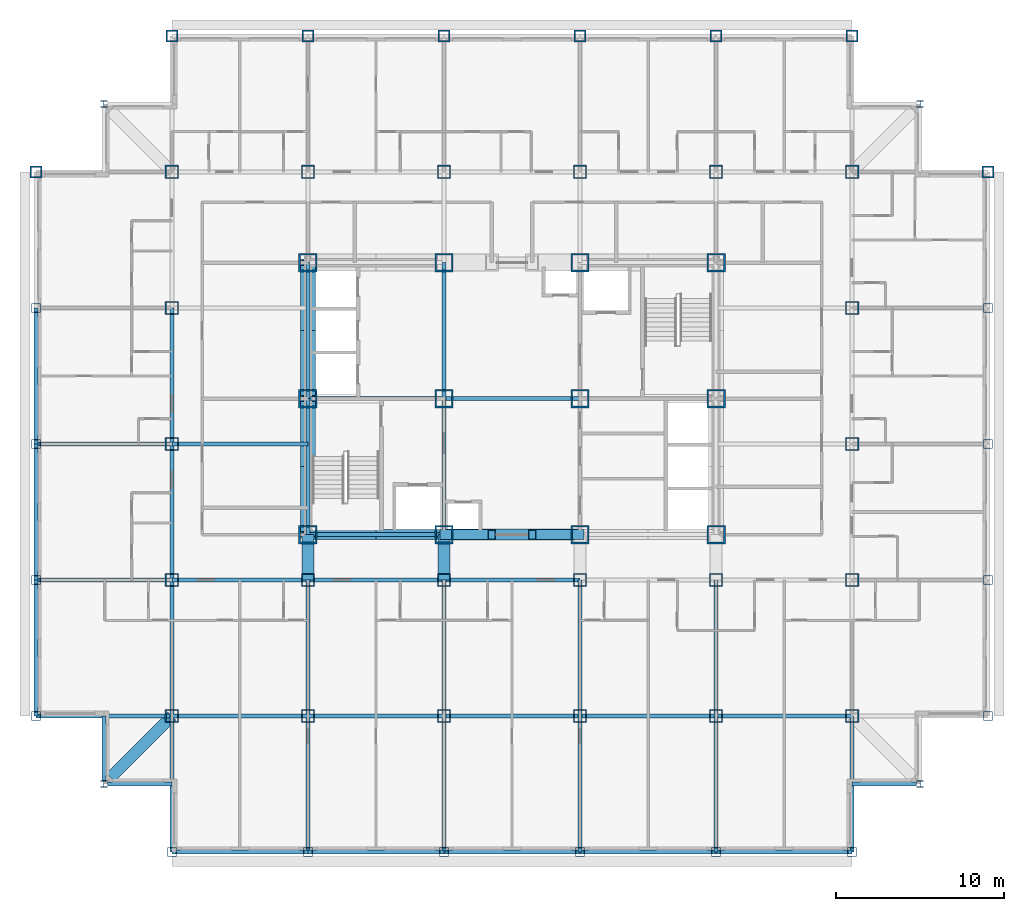
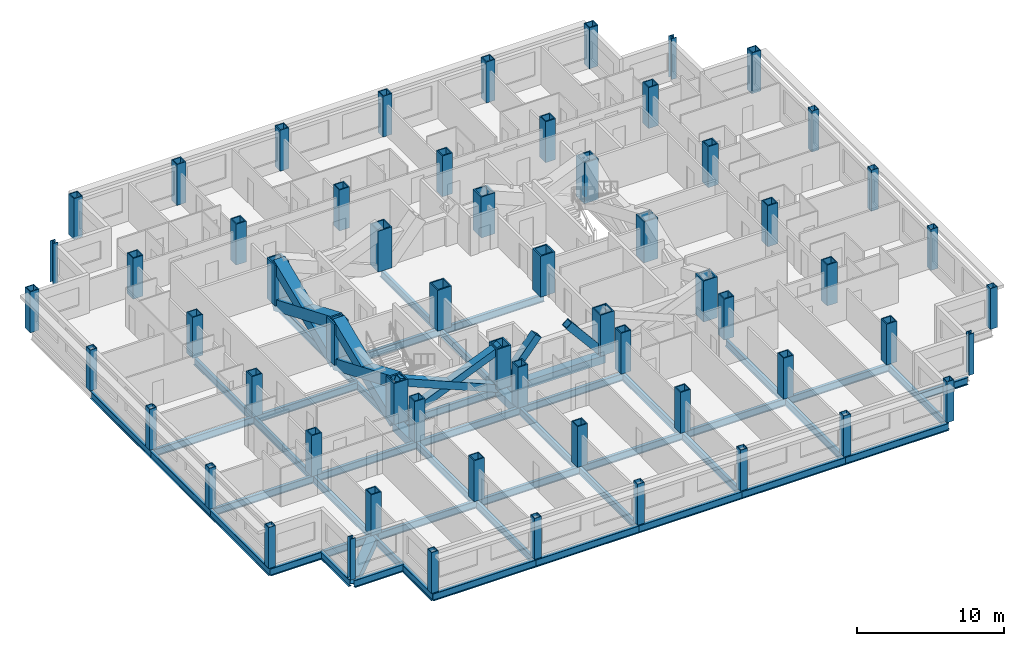
# One storey, part 1 of 13: 60 columns, 47 beams, 8 members.
"""IFC4 building model written with IfcOpenShell, lengths in metres."""

from ifc_helpers import new_model, si_unit, direction, frame, origin, origin_2d, place, context, subcontext, project, spatial, hollow_rectangle, i_section, extrude, material, material_profile, profile_set, type_object, element, save


model = new_model("IFC4")

# Units and contexts
model_context = context("Model", 3, precision=1e-05, world=origin(), true_north=direction((0.0, 1.0)))
body_context = subcontext(model_context, "Body", "Model", "MODEL_VIEW")
ifc_project = project(units=[si_unit("LENGTHUNIT", "METRE"), si_unit("AREAUNIT", "SQUARE_METRE"), si_unit("VOLUMEUNIT", "CUBIC_METRE"), si_unit("PLANEANGLEUNIT", "RADIAN"), si_unit("MASSUNIT", "GRAM", prefix="KILO")], contexts=[model_context])

# Site, building, storey
site_placement = place(None, origin())
site = spatial("IfcSite", under=ifc_project, at=site_placement, CompositionType="ELEMENT")
building_placement = place(site_placement, origin())
building = spatial("IfcBuilding", under=site, at=building_placement, Name="Kopane Lantern Tower", CompositionType="ELEMENT")
storey_placement = place(building_placement, frame((0.0, 0.0, 130.60009765625)))
storey = spatial("IfcBuildingStorey", under=building, at=storey_placement, Name="L33", CompositionType="ELEMENT", Elevation=130.60009765625)

# Columns
ifc_material_1 = material(Name="Steel S355JR", Category="steel")
ifc_material_profile_1 = material_profile(ifc_material_1, hollow_rectangle(XDim=1.10009765625, YDim=1.10009765625, WallThickness=0.10009765625, at=origin_2d()), Name="BOX 1100x1100x100")
ifc_profile_set_1 = profile_set([ifc_material_profile_1], Name="Steel S355JR")
column_type_1 = type_object("IfcColumnType", Name="COLUMN BOX 1100x1100x100", PredefinedType="COLUMN", material=ifc_profile_set_1)
for number, where, z_axis, x_axis, name in (
    (1, (16.199951171875, 24.300048828125, 0.0), (0.0, 0.0, 1.0), (1.0, 0.0, 0.0), "Column 4/E L33"),
    (2, (16.199951171875, 32.39990234375, 0.0), (0.0, 0.0, 1.0), (1.0, 0.0, 0.0), "Column 4/F L33"),
    (3, (16.199951171875, 40.5, 0.0), (0.0, 0.0, 1.0), (1.0, 0.0, 0.0), "Column 4/G L33"),
    (4, (24.300048828125, 24.300048828125, 0.0), (0.0, 0.0, 1.0), (1.0, 0.0, 0.0), "Column 5/E L33"),
    (5, (24.300048828125, 32.39990234375, 0.0), (0.0, 0.0, 1.0), (1.0, 0.0, 0.0), "Column 5/F L33"),
    (6, (24.300048828125, 40.5, 0.0), (0.0, 0.0, 1.0), (1.0, 0.0, 0.0), "Column 5/G L33"),
    (7, (32.39990234375, 24.300048828125, 0.0), (0.0, 0.0, 1.0), (1.0, 0.0, 0.0), "Column 6/E L33"),
    (8, (32.39990234375, 32.39990234375, 0.0), (0.0, 0.0, 1.0), (1.0, 0.0, 0.0), "Column 6/F L33"),
    (9, (32.39990234375, 40.5, 0.0), (0.0, 0.0, 1.0), (1.0, 0.0, 0.0), "Column 6/G L33"),
    (10, (40.5, 24.300048828125, 0.0), (0.0, 0.0, 1.0), (1.0, 0.0, 0.0), "Column 7/E L33"),
    (11, (40.5, 32.39990234375, 0.0), (0.0, 0.0, 1.0), (1.0, 0.0, 0.0), "Column 7/F L33"),
    (12, (40.5, 40.5, 0.0), (0.0, 0.0, 1.0), (1.0, 0.0, 0.0), "Column 7/G L33"),
):
    element("IfcColumn", number, at=place(storey_placement, frame(where, z_axis=z_axis, x_axis=x_axis)), inside=storey, type_object=column_type_1, Name=name, PredefinedType="COLUMN", context=body_context, shape_type="SweptSolid", body=[
        extrude(hollow_rectangle(XDim=1.10009765625, YDim=1.10009765625, WallThickness=0.10009765625, at=origin_2d()), origin(), (0.0, 0.0, 1.0), 3.39990234375),
    ])
ifc_material_2 = material(Name="Steel S355JR", Category="steel")
ifc_material_profile_2 = material_profile(ifc_material_2, hollow_rectangle(XDim=0.550048828125, YDim=0.550048828125, WallThickness=0.0400390625, at=origin_2d()), Name="BOX 550x550x40")
ifc_profile_set_2 = profile_set([ifc_material_profile_2], Name="Steel S355JR")
column_type_2 = type_object("IfcColumnType", Name="COLUMN BOX 550x550x40", PredefinedType="COLUMN", material=ifc_profile_set_2)
for number, where, z_axis, x_axis, name in (
    (13, (0.0, 13.5, 0.0), (0.0, 0.0, 1.0), (1.0, 0.0, 0.0), "Column 2/P2 L33"),
    (14, (0.0, 21.60009765625, 0.0), (0.0, 0.0, 1.0), (1.0, 0.0, 0.0), "Column 2/P3 L33"),
    (15, (0.0, 29.699951171875, 0.0), (0.0, 0.0, 1.0), (1.0, 0.0, 0.0), "Column 2/P4 L33"),
    (16, (0.0, 37.800048828125, 0.0), (0.0, 0.0, 1.0), (1.0, 0.0, 0.0), "Column 2/P5 L33"),
    (17, (8.10009765625, 5.39990234375, 0.0), (0.0, 0.0, 1.0), (1.0, 0.0, 0.0), "Column 3/P1 L33"),
    (18, (16.199951171875, 5.39990234375, 0.0), (0.0, 0.0, 1.0), (1.0, 0.0, 0.0), "Column 4/P1 L33"),
    (19, (24.300048828125, 5.39990234375, 0.0), (0.0, 0.0, 1.0), (1.0, 0.0, 0.0), "Column 5/P1 L33"),
    (20, (32.39990234375, 5.39990234375, 0.0), (0.0, 0.0, 1.0), (1.0, 0.0, 0.0), "Column 6/P1 L33"),
    (21, (40.5, 5.39990234375, 0.0), (0.0, 0.0, 1.0), (1.0, 0.0, 0.0), "Column 7/P1 L33"),
    (22, (48.60009765625, 5.39990234375, 0.0), (0.0, 0.0, 1.0), (1.0, 0.0, 0.0), "Column 8/P1 L33"),
    (23, (56.699951171875, 13.5, 0.0), (0.0, 0.0, 1.0), (1.0, 0.0, 0.0), "Column 9/P2 L33"),
    (24, (56.699951171875, 21.60009765625, 0.0), (0.0, 0.0, 1.0), (1.0, 0.0, 0.0), "Column 9/P3 L33"),
    (25, (56.699951171875, 29.699951171875, 0.0), (0.0, 0.0, 1.0), (1.0, 0.0, 0.0), "Column 9/P4 L33"),
    (26, (56.699951171875, 37.800048828125, 0.0), (0.0, 0.0, 1.0), (1.0, 0.0, 0.0), "Column 9/P5 L33"),
):
    element("IfcColumn", number, at=place(storey_placement, frame(where, z_axis=z_axis, x_axis=x_axis)), inside=storey, type_object=column_type_2, Name=name, PredefinedType="COLUMN", context=body_context, shape_type="SweptSolid", body=[
        extrude(hollow_rectangle(XDim=0.550048828125, YDim=0.550048828125, WallThickness=0.0400390625, at=origin_2d()), origin(), (0.0, 0.0, 1.0), 3.39990234375),
    ])
ifc_material_3 = material(Name="Steel S355JR", Category="steel")
ifc_material_profile_3 = material_profile(ifc_material_3, hollow_rectangle(XDim=0.699951171875, YDim=0.699951171875, WallThickness=0.070068359375, at=origin_2d()), Name="BOX 700x700x70")
ifc_profile_set_3 = profile_set([ifc_material_profile_3], Name="Steel S355JR")
column_type_3 = type_object("IfcColumnType", Name="COLUMN BOX 700x700x70", PredefinedType="COLUMN", material=ifc_profile_set_3)
for number, where, z_axis, x_axis, name in (
    (27, (0.0, 45.89990234375, 0.0), (0.0, 0.0, 1.0), (1.0, 0.0, 0.0), "Column 2/P6 L33"),
    (28, (8.10009765625, 54.0, 0.0), (0.0, 0.0, 1.0), (1.0, 0.0, 0.0), "Column 3/P7 L33"),
    (29, (16.199951171875, 54.0, 0.0), (0.0, 0.0, 1.0), (1.0, 0.0, 0.0), "Column 4/P7 L33"),
    (30, (24.300048828125, 54.0, 0.0), (0.0, 0.0, 1.0), (1.0, 0.0, 0.0), "Column 5/P7 L33"),
    (31, (32.39990234375, 54.0, 0.0), (0.0, 0.0, 1.0), (1.0, 0.0, 0.0), "Column 6/P7 L33"),
    (32, (40.5, 54.0, 0.0), (0.0, 0.0, 1.0), (1.0, 0.0, 0.0), "Column 7/P7 L33"),
    (33, (48.60009765625, 54.0, 0.0), (0.0, 0.0, 1.0), (1.0, 0.0, 0.0), "Column 8/P7 L33"),
    (34, (56.699951171875, 45.89990234375, 0.0), (0.0, 0.0, 1.0), (1.0, 0.0, 0.0), "Column 9/P6 L33"),
):
    element("IfcColumn", number, at=place(storey_placement, frame(where, z_axis=z_axis, x_axis=x_axis)), inside=storey, type_object=column_type_3, Name=name, PredefinedType="COLUMN", context=body_context, shape_type="SweptSolid", body=[
        extrude(hollow_rectangle(XDim=0.699951171875, YDim=0.699951171875, WallThickness=0.070068359375, at=origin_2d()), origin(), (0.0, 0.0, 1.0), 3.39990234375),
    ])
ifc_material_4 = material(Name="Steel S355JR", Category="steel")
ifc_material_profile_4 = material_profile(ifc_material_4, hollow_rectangle(XDim=0.800048828125, YDim=0.800048828125, WallThickness=0.080078125, at=origin_2d()), Name="BOX 800x800x80")
ifc_profile_set_4 = profile_set([ifc_material_profile_4], Name="Steel S355JR")
column_type_4 = type_object("IfcColumnType", Name="COLUMN BOX 800x800x80", PredefinedType="COLUMN", material=ifc_profile_set_4)
for number, where, z_axis, x_axis, name in (
    (35, (8.10009765625, 13.5, 0.0), (0.0, 0.0, 1.0), (1.0, 0.0, 0.0), "Column 3/P2 L33"),
    (36, (8.10009765625, 21.60009765625, 0.0), (0.0, 0.0, 1.0), (1.0, 0.0, 0.0), "Column 3/P3 L33"),
    (37, (8.10009765625, 29.699951171875, 0.0), (0.0, 0.0, 1.0), (1.0, 0.0, 0.0), "Column 3/P4 L33"),
    (38, (8.10009765625, 37.800048828125, 0.0), (0.0, 0.0, 1.0), (1.0, 0.0, 0.0), "Column 3/P5 L33"),
    (39, (8.10009765625, 45.89990234375, 0.0), (0.0, 0.0, 1.0), (1.0, 0.0, 0.0), "Column 3/P6 L33"),
    (40, (16.199951171875, 13.5, 0.0), (0.0, 0.0, 1.0), (1.0, 0.0, 0.0), "Column 4/P2 L33"),
    (41, (16.199951171875, 21.60009765625, 0.0), (0.0, 0.0, 1.0), (1.0, 0.0, 0.0), "Column 4/P3 L33"),
    (42, (16.199951171875, 45.89990234375, 0.0), (0.0, 0.0, 1.0), (1.0, 0.0, 0.0), "Column 4/P6 L33"),
    (43, (24.300048828125, 13.5, 0.0), (0.0, 0.0, 1.0), (1.0, 0.0, 0.0), "Column 5/P2 L33"),
    (44, (24.300048828125, 21.60009765625, 0.0), (0.0, 0.0, 1.0), (1.0, 0.0, 0.0), "Column 5/P3 L33"),
    (45, (24.300048828125, 45.89990234375, 0.0), (0.0, 0.0, 1.0), (1.0, 0.0, 0.0), "Column 5/P6 L33"),
    (46, (32.39990234375, 13.5, 0.0), (0.0, 0.0, 1.0), (1.0, 0.0, 0.0), "Column 6/P2 L33"),
    (47, (32.39990234375, 21.60009765625, 0.0), (0.0, 0.0, 1.0), (1.0, 0.0, 0.0), "Column 6/P3 L33"),
    (48, (32.39990234375, 45.89990234375, 0.0), (0.0, 0.0, 1.0), (1.0, 0.0, 0.0), "Column 6/P6 L33"),
    (49, (40.5, 13.5, 0.0), (0.0, 0.0, 1.0), (1.0, 0.0, 0.0), "Column 7/P2 L33"),
    (50, (40.5, 21.60009765625, 0.0), (0.0, 0.0, 1.0), (1.0, 0.0, 0.0), "Column 7/P3 L33"),
    (51, (40.5, 45.89990234375, 0.0), (0.0, 0.0, 1.0), (1.0, 0.0, 0.0), "Column 7/P6 L33"),
    (52, (48.60009765625, 13.5, 0.0), (0.0, 0.0, 1.0), (1.0, 0.0, 0.0), "Column 8/P2 L33"),
    (53, (48.60009765625, 21.60009765625, 0.0), (0.0, 0.0, 1.0), (1.0, 0.0, 0.0), "Column 8/P3 L33"),
    (54, (48.60009765625, 29.699951171875, 0.0), (0.0, 0.0, 1.0), (1.0, 0.0, 0.0), "Column 8/P4 L33"),
    (55, (48.60009765625, 37.800048828125, 0.0), (0.0, 0.0, 1.0), (1.0, 0.0, 0.0), "Column 8/P5 L33"),
    (56, (48.60009765625, 45.89990234375, 0.0), (0.0, 0.0, 1.0), (1.0, 0.0, 0.0), "Column 8/P6 L33"),
):
    element("IfcColumn", number, at=place(storey_placement, frame(where, z_axis=z_axis, x_axis=x_axis)), inside=storey, type_object=column_type_4, Name=name, PredefinedType="COLUMN", context=body_context, shape_type="SweptSolid", body=[
        extrude(hollow_rectangle(XDim=0.800048828125, YDim=0.800048828125, WallThickness=0.080078125, at=origin_2d()), origin(), (0.0, 0.0, 1.0), 3.39990234375),
    ])
ifc_material_5 = material(Name="Steel S355JR", Category="steel")
ifc_material_profile_5 = material_profile(ifc_material_5, i_section(OverallWidth=0.406982421875, OverallDepth=0.4189453125, WebThickness=0.030517578125, FlangeThickness=0.04931640625, FilletRadius=0.01513671875, at=origin_2d()), Name="UC 356x406x393")
ifc_profile_set_5 = profile_set([ifc_material_profile_5], Name="Steel S355JR")
column_type_5 = type_object("IfcColumnType", Name="COLUMN UC 356x406x393", PredefinedType="COLUMN", material=ifc_profile_set_5)
for number, where, z_axis, x_axis, name in (
    (57, (4.050048828125, 9.449951171875, 0.0), (0.0, 0.0, 1.0), (1.0, 0.0, 0.0), "Column 4.05/9.45 L33"),
    (58, (4.050048828125, 49.949951171875, 0.0), (0.0, 0.0, 1.0), (1.0, 0.0, 0.0), "Column 4.05/49.95 L33"),
    (59, (52.64990234375, 9.449951171875, 0.0), (0.0, 0.0, 1.0), (1.0, 0.0, 0.0), "Column 52.65/9.45 L33"),
    (60, (52.64990234375, 49.949951171875, 0.0), (0.0, 0.0, 1.0), (1.0, 0.0, 0.0), "Column 52.65/49.95 L33"),
):
    element("IfcColumn", number, at=place(storey_placement, frame(where, z_axis=z_axis, x_axis=x_axis)), inside=storey, type_object=column_type_5, Name=name, PredefinedType="COLUMN", context=body_context, shape_type="SweptSolid", body=[
        extrude(i_section(OverallWidth=0.406982421875, OverallDepth=0.4189453125, WebThickness=0.030517578125, FlangeThickness=0.04931640625, FilletRadius=0.01513671875, at=origin_2d()), origin(), (0.0, 0.0, 1.0), 3.39990234375),
    ])

# Members
ifc_material_6 = material(Name="Steel S355JR", Category="steel")
ifc_material_profile_6 = material_profile(ifc_material_6, hollow_rectangle(XDim=0.60009765625, YDim=0.60009765625, WallThickness=0.050048828125, at=origin_2d()), Name="BOX 600x600x50")
ifc_profile_set_6 = profile_set([ifc_material_profile_6], Name="Steel S355JR")
member_type_1 = type_object("IfcMemberType", Name="BRACE BOX 600x600x50", PredefinedType="BRACE", material=ifc_profile_set_6)
for number, where, z_axis, x_axis, name in (
    (61, (16.199951171875, 24.300048828125, -0.210205078125), (0.92205908274, 0.0, 0.387049154419), (0.0, 1.0, 0.0), "Core brace L33"),
    (62, (24.300048828125, 24.300048828125, -0.210205078125), (-0.92205908274, 0.0, 0.387049154419), (0.0, -1.0, 0.0), "Core brace L33"),
):
    element("IfcMember", number, at=place(storey_placement, frame(where, z_axis=z_axis, x_axis=x_axis)), inside=storey, type_object=member_type_1, Name=name, PredefinedType="BRACE", context=body_context, shape_type="SweptSolid", body=[
        extrude(hollow_rectangle(XDim=0.60009765625, YDim=0.60009765625, WallThickness=0.050048828125, at=origin_2d()), origin(), (0.0, 0.0, 1.0), 8.784912109375),
    ])
for number, where, z_axis, x_axis, name in (
    (63, (24.300048828125, 24.300048828125, -0.210205078125), (0.642363165114, 0.0, 0.766400394118), (0.0, 1.0, 0.0), "Core brace L33"),
    (64, (32.39990234375, 24.300048828125, -0.210205078125), (-0.642363165114, 0.0, 0.766400394118), (0.0, -1.0, 0.0), "Core brace L33"),
):
    element("IfcMember", number, at=place(storey_placement, frame(where, z_axis=z_axis, x_axis=x_axis)), inside=storey, type_object=member_type_1, Name=name, PredefinedType="BRACE", context=body_context, shape_type="SweptSolid", body=[
        extrude(hollow_rectangle(XDim=0.60009765625, YDim=0.60009765625, WallThickness=0.050048828125, at=origin_2d()), origin(), (0.0, 0.0, 1.0), 4.4365234375),
    ])
ifc_material_7 = material(Name="Steel S355JR", Category="steel")
ifc_material_profile_7 = material_profile(ifc_material_7, hollow_rectangle(XDim=0.89990234375, YDim=0.89990234375, WallThickness=0.090087890625, at=origin_2d()), Name="BOX 900x900x90")
ifc_profile_set_7 = profile_set([ifc_material_profile_7], Name="Steel S355JR")
member_type_2 = type_object("IfcMemberType", Name="BRACE BOX 900x900x90", PredefinedType="BRACE", material=ifc_profile_set_7)
for number, where, z_axis, x_axis, name in (
    (65, (16.199951171875, 24.300048828125, -0.210205078125), (0.0, 0.92205491925, 0.387059072864), (-1.0, 0.0, 0.0), "Core brace L33"),
    (66, (16.199951171875, 32.39990234375, -0.210205078125), (0.0, -0.92205491925, 0.387059072864), (1.0, 0.0, 0.0), "Core brace L33"),
):
    element("IfcMember", number, at=place(storey_placement, frame(where, z_axis=z_axis, x_axis=x_axis)), inside=storey, type_object=member_type_2, Name=name, PredefinedType="BRACE", context=body_context, shape_type="SweptSolid", body=[
        extrude(hollow_rectangle(XDim=0.89990234375, YDim=0.89990234375, WallThickness=0.090087890625, at=origin_2d()), origin(), (0.0, 0.0, 1.0), 8.78466796875),
    ])
for number, where, z_axis, x_axis, name in (
    (67, (16.199951171875, 32.39990234375, -0.210205078125), (0.0, 0.92205908274, 0.387049154419), (-1.0, 0.0, 0.0), "Core brace L33"),
    (68, (16.199951171875, 40.5, -0.210205078125), (0.0, -0.92205908274, 0.387049154419), (1.0, 0.0, 0.0), "Core brace L33"),
):
    element("IfcMember", number, at=place(storey_placement, frame(where, z_axis=z_axis, x_axis=x_axis)), inside=storey, type_object=member_type_2, Name=name, PredefinedType="BRACE", context=body_context, shape_type="SweptSolid", body=[
        extrude(hollow_rectangle(XDim=0.89990234375, YDim=0.89990234375, WallThickness=0.090087890625, at=origin_2d()), origin(), (0.0, 0.0, 1.0), 8.784912109375),
    ])

# Beams
ifc_material_8 = material(Name="Steel S355JR", Category="steel")
ifc_material_profile_8 = material_profile(ifc_material_8, i_section(OverallWidth=0.22900390625, OverallDepth=0.6123046875, WebThickness=0.011962890625, FlangeThickness=0.01953125, FilletRadius=0.0126953125, at=origin_2d()), Name="UB 610x229x125")
ifc_profile_set_8 = profile_set([ifc_material_profile_8], Name="Steel S355JR")
beam_type_1 = type_object("IfcBeamType", Name="CORE BEAM UB 610x229x125", PredefinedType="BEAM", material=ifc_profile_set_8)
beam_1_placement = place(storey_placement, frame((16.199951171875, 32.39990234375, -0.51611328125), z_axis=(1.0, 0.0, 0.0), x_axis=(0.0, 1.0, 0.0)))
element("IfcBeam", 69, at=beam_1_placement, inside=storey, type_object=beam_type_1, Name="Core Beam L33", PredefinedType="BEAM", context=body_context, shape_type="SweptSolid", body=[
    extrude(i_section(OverallWidth=0.22900390625, OverallDepth=0.6123046875, WebThickness=0.011962890625, FlangeThickness=0.01953125, FilletRadius=0.0126953125, at=origin_2d()), origin(), (0.0, 0.0, 1.0), 8.10009765625),
])
beam_2_placement = place(storey_placement, frame((24.300048828125, 24.300048828125, -0.51611328125), z_axis=(0.0, 1.0, 0.0), x_axis=(-1.0, 0.0, 0.0)))
element("IfcBeam", 70, at=beam_2_placement, inside=storey, type_object=beam_type_1, Name="Core Beam L33", PredefinedType="BEAM", context=body_context, shape_type="SweptSolid", body=[
    extrude(i_section(OverallWidth=0.22900390625, OverallDepth=0.6123046875, WebThickness=0.011962890625, FlangeThickness=0.01953125, FilletRadius=0.0126953125, at=origin_2d()), origin(), (0.0, 0.0, 1.0), 8.099853515625),
])
beam_3_placement = place(storey_placement, frame((24.300048828125, 32.39990234375, -0.51611328125), z_axis=(0.0, 1.0, 0.0), x_axis=(-1.0, 0.0, 0.0)))
element("IfcBeam", 71, at=beam_3_placement, inside=storey, type_object=beam_type_1, Name="Core Beam L33", PredefinedType="BEAM", context=body_context, shape_type="SweptSolid", body=[
    extrude(i_section(OverallWidth=0.22900390625, OverallDepth=0.6123046875, WebThickness=0.011962890625, FlangeThickness=0.01953125, FilletRadius=0.0126953125, at=origin_2d()), origin(), (0.0, 0.0, 1.0), 8.10009765625),
])
beam_4_placement = place(storey_placement, frame((24.300048828125, 32.39990234375, -0.51611328125), z_axis=(1.0, 0.0, 0.0), x_axis=(0.0, 1.0, 0.0)))
element("IfcBeam", 72, at=beam_4_placement, inside=storey, type_object=beam_type_1, Name="Core Beam L33", PredefinedType="BEAM", context=body_context, shape_type="SweptSolid", body=[
    extrude(i_section(OverallWidth=0.22900390625, OverallDepth=0.6123046875, WebThickness=0.011962890625, FlangeThickness=0.01953125, FilletRadius=0.0126953125, at=origin_2d()), origin(), (0.0, 0.0, 1.0), 8.099853515625),
])
ifc_material_9 = material(Name="Steel S355JR", Category="steel")
ifc_material_profile_9 = material_profile(ifc_material_9, hollow_rectangle(XDim=0.699951171875, YDim=0.699951171875, WallThickness=0.06005859375, at=origin_2d()), Name="BOX 700x700x60")
ifc_profile_set_9 = profile_set([ifc_material_profile_9], Name="Steel S355JR")
beam_type_2 = type_object("IfcBeamType", Name="CORNER TIE BEAM BOX 700x700x60", PredefinedType="BEAM", material=ifc_profile_set_9)
beam_5_placement = place(storey_placement, frame((4.447509765625, 9.847412109375, -0.56005859375), z_axis=(0.707106781187, 0.707106781187, 0.0), x_axis=(-0.707106781187, 0.707106781187, 0.0)))
element("IfcBeam", 73, at=beam_5_placement, inside=storey, type_object=beam_type_2, Name="Corner Tie Beam L33", PredefinedType="BEAM", context=body_context, shape_type="SweptSolid", body=[
    extrude(hollow_rectangle(XDim=0.699951171875, YDim=0.699951171875, WallThickness=0.06005859375, at=origin_2d()), origin(), (0.0, 0.0, 1.0), 5.16552734375),
])
ifc_material_10 = material(Name="Steel S355JR", Category="steel")
ifc_material_profile_10 = material_profile(ifc_material_10, i_section(OverallWidth=0.22900390625, OverallDepth=0.6123046875, WebThickness=0.011962890625, FlangeThickness=0.01953125, FilletRadius=0.0126953125, at=origin_2d()), Name="UB 610x229x125")
ifc_profile_set_10 = profile_set([ifc_material_profile_10], Name="Steel S355JR")
beam_type_3 = type_object("IfcBeamType", Name="EDGE BEAM UB 610x229x125", PredefinedType="BEAM", material=ifc_profile_set_10)
beam_6_placement = place(storey_placement, frame((4.050048828125, 9.653564453125, -0.51611328125), z_axis=(0.0, 1.0, 0.0), x_axis=(-1.0, 0.0, 0.0)))
element("IfcBeam", 74, at=beam_6_placement, inside=storey, type_object=beam_type_3, Name="Edge Beam L33", PredefinedType="BEAM", context=body_context, shape_type="SweptSolid", body=[
    extrude(i_section(OverallWidth=0.22900390625, OverallDepth=0.6123046875, WebThickness=0.011962890625, FlangeThickness=0.01953125, FilletRadius=0.0126953125, at=origin_2d()), origin(), (0.0, 0.0, 1.0), 3.846435546875),
])
beam_7_placement = place(storey_placement, frame((4.25341796875, 9.449951171875, -0.51611328125), z_axis=(1.0, 0.0, 0.0), x_axis=(0.0, 1.0, 0.0)))
element("IfcBeam", 75, at=beam_7_placement, inside=storey, type_object=beam_type_3, Name="Edge Beam L33", PredefinedType="BEAM", context=body_context, shape_type="SweptSolid", body=[
    extrude(i_section(OverallWidth=0.22900390625, OverallDepth=0.6123046875, WebThickness=0.011962890625, FlangeThickness=0.01953125, FilletRadius=0.0126953125, at=origin_2d()), origin(), (0.0, 0.0, 1.0), 3.8466796875),
])
beam_8_placement = place(storey_placement, frame((52.446533203125, 9.449951171875, -0.51611328125), z_axis=(-1.0, 0.0, 0.0), x_axis=(0.0, -1.0, 0.0)))
element("IfcBeam", 76, at=beam_8_placement, inside=storey, type_object=beam_type_3, Name="Edge Beam L33", PredefinedType="BEAM", context=body_context, shape_type="SweptSolid", body=[
    extrude(i_section(OverallWidth=0.22900390625, OverallDepth=0.6123046875, WebThickness=0.011962890625, FlangeThickness=0.01953125, FilletRadius=0.0126953125, at=origin_2d()), origin(), (0.0, 0.0, 1.0), 3.846435546875),
])
ifc_material_11 = material(Name="Steel S355JR", Category="steel")
ifc_material_profile_11 = material_profile(ifc_material_11, hollow_rectangle(XDim=0.699951171875, YDim=0.699951171875, WallThickness=0.06005859375, at=origin_2d()), Name="BOX 700x700x60")
ifc_profile_set_11 = profile_set([ifc_material_profile_11], Name="Steel S355JR")
beam_type_4 = type_object("IfcBeamType", Name="GIRDER BOX 700x700x60", PredefinedType="BEAM", material=ifc_profile_set_11)
for number, where, z_axis, x_axis, name in (
    (77, (16.199951171875, 21.60009765625, -0.56005859375), (0.0, 1.0, 0.0), (-1.0, 0.0, 0.0), "Girder L33"),
    (78, (24.300048828125, 21.60009765625, -0.56005859375), (0.0, 1.0, 0.0), (-1.0, 0.0, 0.0), "Girder L33"),
):
    element("IfcBeam", number, at=place(storey_placement, frame(where, z_axis=z_axis, x_axis=x_axis)), inside=storey, type_object=beam_type_4, Name=name, PredefinedType="BEAM", context=body_context, shape_type="SweptSolid", body=[
        extrude(hollow_rectangle(XDim=0.699951171875, YDim=0.699951171875, WallThickness=0.06005859375, at=origin_2d()), origin(), (0.0, 0.0, 1.0), 2.699951171875),
    ])
ifc_material_12 = material(Name="Steel S355JR", Category="steel")
ifc_material_profile_12 = material_profile(ifc_material_12, i_section(OverallWidth=0.22900390625, OverallDepth=0.6123046875, WebThickness=0.011962890625, FlangeThickness=0.01953125, FilletRadius=0.0126953125, at=origin_2d()), Name="UB 610x229x125")
ifc_profile_set_12 = profile_set([ifc_material_profile_12], Name="Steel S355JR")
beam_type_5 = type_object("IfcBeamType", Name="GIRDER UB 610x229x125", PredefinedType="BEAM", material=ifc_profile_set_12)
for number, where, z_axis, x_axis, name in (
    (79, (0.0, 13.5, -0.51611328125), (0.0, 1.0, 0.0), (-1.0, 0.0, 0.0), "Girder L33"),
    (80, (0.0, 13.5, -0.51611328125), (1.0, 0.0, 0.0), (0.0, 1.0, 0.0), "Girder L33"),
):
    element("IfcBeam", number, at=place(storey_placement, frame(where, z_axis=z_axis, x_axis=x_axis)), inside=storey, type_object=beam_type_5, Name=name, PredefinedType="BEAM", context=body_context, shape_type="SweptSolid", body=[
        extrude(i_section(OverallWidth=0.22900390625, OverallDepth=0.6123046875, WebThickness=0.011962890625, FlangeThickness=0.01953125, FilletRadius=0.0126953125, at=origin_2d()), origin(), (0.0, 0.0, 1.0), 8.10009765625),
    ])
beam_9_placement = place(storey_placement, frame((0.0, 21.60009765625, -0.51611328125), z_axis=(0.0, 1.0, 0.0), x_axis=(-1.0, 0.0, 0.0)))
element("IfcBeam", 81, at=beam_9_placement, inside=storey, type_object=beam_type_5, Name="Girder L33", PredefinedType="BEAM", context=body_context, shape_type="SweptSolid", body=[
    extrude(i_section(OverallWidth=0.22900390625, OverallDepth=0.6123046875, WebThickness=0.011962890625, FlangeThickness=0.01953125, FilletRadius=0.0126953125, at=origin_2d()), origin(), (0.0, 0.0, 1.0), 8.099853515625),
])
for number, where, z_axis, x_axis, name in (
    (82, (0.0, 21.60009765625, -0.51611328125), (1.0, 0.0, 0.0), (0.0, 1.0, 0.0), "Girder L33"),
    (83, (0.0, 29.699951171875, -0.51611328125), (0.0, 1.0, 0.0), (-1.0, 0.0, 0.0), "Girder L33"),
    (84, (0.0, 29.699951171875, -0.51611328125), (1.0, 0.0, 0.0), (0.0, 1.0, 0.0), "Girder L33"),
    (85, (8.10009765625, 5.39990234375, -0.51611328125), (0.0, 1.0, 0.0), (-1.0, 0.0, 0.0), "Girder L33"),
):
    element("IfcBeam", number, at=place(storey_placement, frame(where, z_axis=z_axis, x_axis=x_axis)), inside=storey, type_object=beam_type_5, Name=name, PredefinedType="BEAM", context=body_context, shape_type="SweptSolid", body=[
        extrude(i_section(OverallWidth=0.22900390625, OverallDepth=0.6123046875, WebThickness=0.011962890625, FlangeThickness=0.01953125, FilletRadius=0.0126953125, at=origin_2d()), origin(), (0.0, 0.0, 1.0), 8.10009765625),
    ])
beam_10_placement = place(storey_placement, frame((8.10009765625, 5.39990234375, -0.51611328125), z_axis=(1.0, 0.0, 0.0), x_axis=(0.0, 1.0, 0.0)))
element("IfcBeam", 86, at=beam_10_placement, inside=storey, type_object=beam_type_5, Name="Girder L33", PredefinedType="BEAM", context=body_context, shape_type="SweptSolid", body=[
    extrude(i_section(OverallWidth=0.22900390625, OverallDepth=0.6123046875, WebThickness=0.011962890625, FlangeThickness=0.01953125, FilletRadius=0.0126953125, at=origin_2d()), origin(), (0.0, 0.0, 1.0), 8.099853515625),
])
beam_11_placement = place(storey_placement, frame((8.10009765625, 13.5, -0.51611328125), z_axis=(0.0, 1.0, 0.0), x_axis=(-1.0, 0.0, 0.0)))
element("IfcBeam", 87, at=beam_11_placement, inside=storey, type_object=beam_type_5, Name="Girder L33", PredefinedType="BEAM", context=body_context, shape_type="SweptSolid", body=[
    extrude(i_section(OverallWidth=0.22900390625, OverallDepth=0.6123046875, WebThickness=0.011962890625, FlangeThickness=0.01953125, FilletRadius=0.0126953125, at=origin_2d()), origin(), (0.0, 0.0, 1.0), 8.10009765625),
])
for number, where, z_axis, x_axis, name in (
    (88, (8.10009765625, 13.5, -0.51611328125), (1.0, 0.0, 0.0), (0.0, 1.0, 0.0), "Girder L33"),
    (89, (8.10009765625, 21.60009765625, -0.51611328125), (0.0, 1.0, 0.0), (-1.0, 0.0, 0.0), "Girder L33"),
    (90, (8.10009765625, 21.60009765625, -0.51611328125), (1.0, 0.0, 0.0), (0.0, 1.0, 0.0), "Girder L33"),
):
    element("IfcBeam", number, at=place(storey_placement, frame(where, z_axis=z_axis, x_axis=x_axis)), inside=storey, type_object=beam_type_5, Name=name, PredefinedType="BEAM", context=body_context, shape_type="SweptSolid", body=[
        extrude(i_section(OverallWidth=0.22900390625, OverallDepth=0.6123046875, WebThickness=0.011962890625, FlangeThickness=0.01953125, FilletRadius=0.0126953125, at=origin_2d()), origin(), (0.0, 0.0, 1.0), 8.099853515625),
    ])
beam_12_placement = place(storey_placement, frame((8.10009765625, 29.699951171875, -0.51611328125), z_axis=(0.0, 1.0, 0.0), x_axis=(-1.0, 0.0, 0.0)))
element("IfcBeam", 91, at=beam_12_placement, inside=storey, type_object=beam_type_5, Name="Girder L33", PredefinedType="BEAM", context=body_context, shape_type="SweptSolid", body=[
    extrude(i_section(OverallWidth=0.22900390625, OverallDepth=0.6123046875, WebThickness=0.011962890625, FlangeThickness=0.01953125, FilletRadius=0.0126953125, at=origin_2d()), origin(), (0.0, 0.0, 1.0), 8.10009765625),
])
beam_13_placement = place(storey_placement, frame((8.10009765625, 29.699951171875, -0.51611328125), z_axis=(1.0, 0.0, 0.0), x_axis=(0.0, 1.0, 0.0)))
element("IfcBeam", 92, at=beam_13_placement, inside=storey, type_object=beam_type_5, Name="Girder L33", PredefinedType="BEAM", context=body_context, shape_type="SweptSolid", body=[
    extrude(i_section(OverallWidth=0.22900390625, OverallDepth=0.6123046875, WebThickness=0.011962890625, FlangeThickness=0.01953125, FilletRadius=0.0126953125, at=origin_2d()), origin(), (0.0, 0.0, 1.0), 8.099853515625),
])
for number, where, z_axis, x_axis, name in (
    (93, (16.199951171875, 5.39990234375, -0.51611328125), (0.0, 1.0, 0.0), (-1.0, 0.0, 0.0), "Girder L33"),
    (94, (16.199951171875, 5.39990234375, -0.51611328125), (1.0, 0.0, 0.0), (0.0, 1.0, 0.0), "Girder L33"),
    (95, (16.199951171875, 13.5, -0.51611328125), (0.0, 1.0, 0.0), (-1.0, 0.0, 0.0), "Girder L33"),
    (96, (16.199951171875, 13.5, -0.51611328125), (1.0, 0.0, 0.0), (0.0, 1.0, 0.0), "Girder L33"),
    (97, (16.199951171875, 21.60009765625, -0.51611328125), (1.0, 0.0, 0.0), (0.0, 1.0, 0.0), "Girder L33"),
):
    element("IfcBeam", number, at=place(storey_placement, frame(where, z_axis=z_axis, x_axis=x_axis)), inside=storey, type_object=beam_type_5, Name=name, PredefinedType="BEAM", context=body_context, shape_type="SweptSolid", body=[
        extrude(i_section(OverallWidth=0.22900390625, OverallDepth=0.6123046875, WebThickness=0.011962890625, FlangeThickness=0.01953125, FilletRadius=0.0126953125, at=origin_2d()), origin(), (0.0, 0.0, 1.0), 8.10009765625),
    ])
beam_14_placement = place(storey_placement, frame((16.199951171875, 24.300048828125, -0.51611328125), z_axis=(0.0, 1.0, 0.0), x_axis=(-1.0, 0.0, 0.0)))
element("IfcBeam", 98, at=beam_14_placement, inside=storey, type_object=beam_type_5, Name="Girder L33", PredefinedType="BEAM", context=body_context, shape_type="SweptSolid", body=[
    extrude(i_section(OverallWidth=0.22900390625, OverallDepth=0.6123046875, WebThickness=0.011962890625, FlangeThickness=0.01953125, FilletRadius=0.0126953125, at=origin_2d()), origin(), (0.0, 0.0, 1.0), 8.099853515625),
])
for number, where, z_axis, x_axis, name in (
    (99, (16.199951171875, 24.300048828125, -0.51611328125), (1.0, 0.0, 0.0), (0.0, 1.0, 0.0), "Girder L33"),
    (100, (16.199951171875, 32.39990234375, -0.51611328125), (0.0, 1.0, 0.0), (-1.0, 0.0, 0.0), "Girder L33"),
    (101, (24.300048828125, 5.39990234375, -0.51611328125), (0.0, 1.0, 0.0), (-1.0, 0.0, 0.0), "Girder L33"),
):
    element("IfcBeam", number, at=place(storey_placement, frame(where, z_axis=z_axis, x_axis=x_axis)), inside=storey, type_object=beam_type_5, Name=name, PredefinedType="BEAM", context=body_context, shape_type="SweptSolid", body=[
        extrude(i_section(OverallWidth=0.22900390625, OverallDepth=0.6123046875, WebThickness=0.011962890625, FlangeThickness=0.01953125, FilletRadius=0.0126953125, at=origin_2d()), origin(), (0.0, 0.0, 1.0), 8.10009765625),
    ])
beam_15_placement = place(storey_placement, frame((24.300048828125, 5.39990234375, -0.51611328125), z_axis=(1.0, 0.0, 0.0), x_axis=(0.0, 1.0, 0.0)))
element("IfcBeam", 102, at=beam_15_placement, inside=storey, type_object=beam_type_5, Name="Girder L33", PredefinedType="BEAM", context=body_context, shape_type="SweptSolid", body=[
    extrude(i_section(OverallWidth=0.22900390625, OverallDepth=0.6123046875, WebThickness=0.011962890625, FlangeThickness=0.01953125, FilletRadius=0.0126953125, at=origin_2d()), origin(), (0.0, 0.0, 1.0), 8.099853515625),
])
beam_16_placement = place(storey_placement, frame((24.300048828125, 13.5, -0.51611328125), z_axis=(0.0, 1.0, 0.0), x_axis=(-1.0, 0.0, 0.0)))
element("IfcBeam", 103, at=beam_16_placement, inside=storey, type_object=beam_type_5, Name="Girder L33", PredefinedType="BEAM", context=body_context, shape_type="SweptSolid", body=[
    extrude(i_section(OverallWidth=0.22900390625, OverallDepth=0.6123046875, WebThickness=0.011962890625, FlangeThickness=0.01953125, FilletRadius=0.0126953125, at=origin_2d()), origin(), (0.0, 0.0, 1.0), 8.10009765625),
])
for number, where, z_axis, x_axis, name in (
    (104, (24.300048828125, 13.5, -0.51611328125), (1.0, 0.0, 0.0), (0.0, 1.0, 0.0), "Girder L33"),
    (105, (24.300048828125, 21.60009765625, -0.51611328125), (1.0, 0.0, 0.0), (0.0, 1.0, 0.0), "Girder L33"),
):
    element("IfcBeam", number, at=place(storey_placement, frame(where, z_axis=z_axis, x_axis=x_axis)), inside=storey, type_object=beam_type_5, Name=name, PredefinedType="BEAM", context=body_context, shape_type="SweptSolid", body=[
        extrude(i_section(OverallWidth=0.22900390625, OverallDepth=0.6123046875, WebThickness=0.011962890625, FlangeThickness=0.01953125, FilletRadius=0.0126953125, at=origin_2d()), origin(), (0.0, 0.0, 1.0), 8.099853515625),
    ])
for number, where, z_axis, x_axis, name in (
    (106, (32.39990234375, 5.39990234375, -0.51611328125), (0.0, 1.0, 0.0), (-1.0, 0.0, 0.0), "Girder L33"),
    (107, (32.39990234375, 5.39990234375, -0.51611328125), (1.0, 0.0, 0.0), (0.0, 1.0, 0.0), "Girder L33"),
    (108, (32.39990234375, 13.5, -0.51611328125), (0.0, 1.0, 0.0), (-1.0, 0.0, 0.0), "Girder L33"),
    (109, (32.39990234375, 13.5, -0.51611328125), (1.0, 0.0, 0.0), (0.0, 1.0, 0.0), "Girder L33"),
    (110, (40.5, 5.39990234375, -0.51611328125), (0.0, 1.0, 0.0), (-1.0, 0.0, 0.0), "Girder L33"),
    (111, (40.5, 5.39990234375, -0.51611328125), (1.0, 0.0, 0.0), (0.0, 1.0, 0.0), "Girder L33"),
    (112, (40.5, 13.5, -0.51611328125), (0.0, 1.0, 0.0), (-1.0, 0.0, 0.0), "Girder L33"),
    (113, (40.5, 13.5, -0.51611328125), (1.0, 0.0, 0.0), (0.0, 1.0, 0.0), "Girder L33"),
    (114, (48.60009765625, 5.39990234375, -0.51611328125), (0.0, 1.0, 0.0), (-1.0, 0.0, 0.0), "Girder L33"),
):
    element("IfcBeam", number, at=place(storey_placement, frame(where, z_axis=z_axis, x_axis=x_axis)), inside=storey, type_object=beam_type_5, Name=name, PredefinedType="BEAM", context=body_context, shape_type="SweptSolid", body=[
        extrude(i_section(OverallWidth=0.22900390625, OverallDepth=0.6123046875, WebThickness=0.011962890625, FlangeThickness=0.01953125, FilletRadius=0.0126953125, at=origin_2d()), origin(), (0.0, 0.0, 1.0), 8.10009765625),
    ])
ifc_material_13 = material(Name="Steel S355JR", Category="steel")
ifc_material_profile_13 = material_profile(ifc_material_13, hollow_rectangle(XDim=0.64990234375, YDim=0.64990234375, WallThickness=0.070068359375, at=origin_2d()), Name="BOX 650x650x70")
ifc_profile_set_13 = profile_set([ifc_material_profile_13], Name="Steel S355JR")
beam_type_6 = type_object("IfcBeamType", Name="LINK BEAM BOX 650x650x70", PredefinedType="BEAM", material=ifc_profile_set_13)
beam_17_placement = place(storey_placement, frame((24.300048828125, 24.300048828125, -0.53515625), z_axis=(1.0, 0.0, 0.0), x_axis=(0.0, 1.0, 0.0)))
element("IfcBeam", 115, at=beam_17_placement, inside=storey, type_object=beam_type_6, Name="Link Beam L33", PredefinedType="BEAM", context=body_context, shape_type="SweptSolid", body=[
    extrude(hollow_rectangle(XDim=0.64990234375, YDim=0.64990234375, WallThickness=0.070068359375, at=origin_2d()), origin(), (0.0, 0.0, 1.0), 8.099853515625),
])

save(model, "model.ifc")
